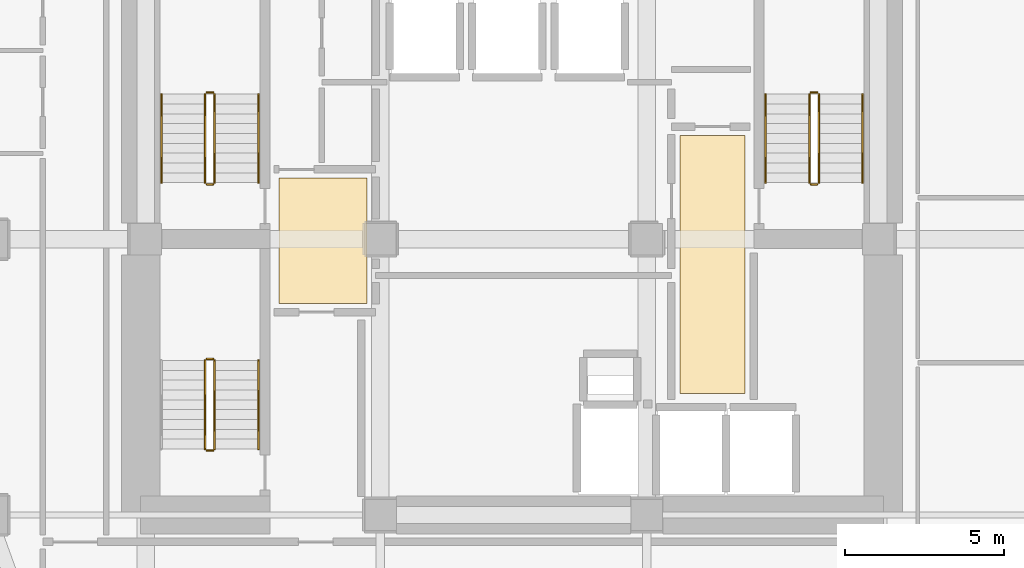
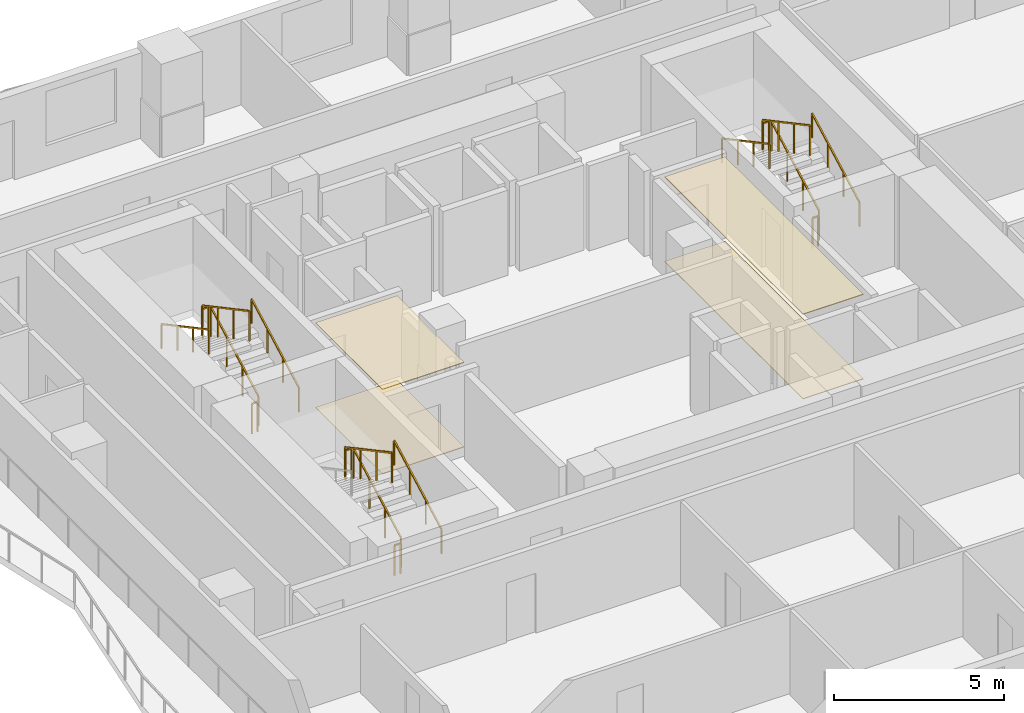
# One storey, part 8 of 9: 17 railings, 4 coverings.
"""IFC4 building model written with IfcOpenShell, lengths in metres."""

from ifc_helpers import new_model, si_unit, direction, frame, origin, origin_2d, place, context, subcontext, project, spatial, polyline, rectangle, outline, extrude, material, layer, layer_set, type_object, element, save


model = new_model("IFC4")

# Units and contexts
model_context = context("Model", 3, precision=1e-05, world=origin(), true_north=direction((0.0, 1.0)))
body_context = subcontext(model_context, "Body", "Model", "MODEL_VIEW")
ifc_project = project(units=[si_unit("LENGTHUNIT", "METRE"), si_unit("AREAUNIT", "SQUARE_METRE"), si_unit("VOLUMEUNIT", "CUBIC_METRE"), si_unit("PLANEANGLEUNIT", "RADIAN"), si_unit("MASSUNIT", "GRAM", prefix="KILO")], contexts=[model_context])

# Site, building, storey
site_placement = place(None, origin())
site = spatial("IfcSite", under=ifc_project, at=site_placement, CompositionType="ELEMENT")
building_placement = place(site_placement, origin())
building = spatial("IfcBuilding", under=site, at=building_placement, Name="Solanera Arch Residences", CompositionType="ELEMENT")
storey_placement = place(building_placement, frame((0.0, 0.0, 55.199951171875)))
storey = spatial("IfcBuildingStorey", under=building, at=storey_placement, Name="L15", CompositionType="ELEMENT", Elevation=55.199951171875)

# Coverings
ifc_material_1 = material(Name="Porcelain Acoustic Floor Tile", Category="ceramic")
ifc_layer_1 = layer(ifc_material_1, 0.02001953125)
ifc_layer_set_1 = layer_set([ifc_layer_1], Name="Porcelain Acoustic Floor Tile")
covering_type_1 = type_object("IfcCoveringType", Name="Porcelain Acoustic Floor Finish FLR-20", PredefinedType="FLOORING", material=ifc_layer_set_1)
covering_1_placement = place(storey_placement, origin())
element("IfcCovering", 1, at=covering_1_placement, inside=storey, type_object=covering_type_1, Name="L15-FFL-W Porcelain Floor Finish", PredefinedType="FLOORING", context=body_context, shape_type="SweptSolid", body=[
    extrude(outline(polyline([(20.375, 28.675048828125), (17.594970703125, 28.675048828125), (17.594970703125, 32.625), (20.375, 32.625), (20.375, 28.675048828125)])), origin(), (0.0, 0.0, 1.0), 0.02001953125),
])
covering_2_placement = place(storey_placement, origin())
element("IfcCovering", 2, at=covering_2_placement, inside=storey, type_object=covering_type_1, Name="L15-FFL-E Porcelain Floor Finish", PredefinedType="FLOORING", context=body_context, shape_type="SweptSolid", body=[
    extrude(outline(polyline([(32.304931640625, 25.824951171875), (30.25, 25.824951171875), (30.25, 33.97509765625), (32.304931640625, 33.97509765625), (32.304931640625, 25.824951171875)])), origin(), (0.0, 0.0, 1.0), 0.02001953125),
])

# Railings
ifc_material_2 = material(Name="Steel S355 (ASTM A992 / A572 Grade 50)", Category="steel")
railing_type_1 = type_object("IfcRailingType", Name="Stair Guardrail GR-1100", PredefinedType="GUARDRAIL", material=ifc_material_2)
railing_1_placement = place(storey_placement, frame((15.570068359375, 32.47998046875, 0.151123046875)))
element("IfcRailing", 3, at=railing_1_placement, inside=storey, type_object=railing_type_1, Name="L15 ST-T1 stair guard 1", PredefinedType="GUARDRAIL", context=body_context, shape_type="SweptSolid", body=[
    extrude(rectangle(XDim=0.048095703125, YDim=0.048095703125, at=origin_2d()), frame((0.0, 0.0, 1.076171875), z_axis=(0.0, 0.881580869306, 0.472033018838), x_axis=(-1.0, 0.0, 0.0)), (0.0, 0.0, 1.0), 3.164794921875),
    extrude(rectangle(XDim=0.0419921875, YDim=0.0419921875, at=origin_2d()), origin(), (0.0, 0.0, 1.0), 1.052001953125),
    extrude(rectangle(XDim=0.0419921875, YDim=0.0419921875, at=origin_2d()), frame((0.0, 0.929931640625, 0.498046875)), (0.0, 0.0, 1.0), 1.052001953125),
    extrude(rectangle(XDim=0.0419921875, YDim=0.0419921875, at=origin_2d()), frame((0.0, 1.860107421875, 0.995849609375)), (0.0, 0.0, 1.0), 1.052001953125),
    extrude(rectangle(XDim=0.0419921875, YDim=0.0419921875, at=origin_2d()), frame((0.0, 2.7900390625, 1.493896484375)), (0.0, 0.0, 1.0), 1.052001953125),
])
railing_2_placement = place(storey_placement, frame((15.52001953125, 35.320068359375, 1.64501953125)))
element("IfcRailing", 4, at=railing_2_placement, inside=storey, type_object=railing_type_1, Name="L15 ST-T1 stair guard 2", PredefinedType="GUARDRAIL", context=body_context, shape_type="SweptSolid", body=[
    extrude(rectangle(XDim=0.048095703125, YDim=0.048095703125, at=origin_2d()), frame((0.0, 0.0, 1.076171875), z_axis=(-1.0, 0.0, 0.0), x_axis=(0.0, -1.0, 0.0)), (0.0, 0.0, 1.0), 0.199951171875),
    extrude(rectangle(XDim=0.0419921875, YDim=0.0419921875, at=origin_2d()), origin(), (0.0, 0.0, 1.0), 1.052001953125),
    extrude(rectangle(XDim=0.0419921875, YDim=0.0419921875, at=origin_2d()), frame((-0.199951171875, 0.0, 0.0)), (0.0, 0.0, 1.0), 1.052001953125),
])
railing_3_placement = place(storey_placement, frame((15.27001953125, 35.27001953125, 1.81103515625)))
element("IfcRailing", 5, at=railing_3_placement, inside=storey, type_object=railing_type_1, Name="L15 ST-T1 stair guard 3", PredefinedType="GUARDRAIL", context=body_context, shape_type="SweptSolid", body=[
    extrude(rectangle(XDim=0.048095703125, YDim=0.048095703125, at=origin_2d()), frame((0.0, 0.0, 1.076171875), z_axis=(0.0, -0.881580869306, 0.472033018838), x_axis=(1.0, 0.0, 0.0)), (0.0, 0.0, 1.0), 3.164794921875),
    extrude(rectangle(XDim=0.0419921875, YDim=0.0419921875, at=origin_2d()), origin(), (0.0, 0.0, 1.0), 1.052001953125),
    extrude(rectangle(XDim=0.0419921875, YDim=0.0419921875, at=origin_2d()), frame((0.0, -0.929931640625, 0.498046875)), (0.0, 0.0, 1.0), 1.052001953125),
    extrude(rectangle(XDim=0.0419921875, YDim=0.0419921875, at=origin_2d()), frame((0.0, -1.860107421875, 0.995849609375)), (0.0, 0.0, 1.0), 1.052001953125),
    extrude(rectangle(XDim=0.0419921875, YDim=0.0419921875, at=origin_2d()), frame((0.0, -2.7900390625, 1.493896484375)), (0.0, 0.0, 1.0), 1.052001953125),
])
railing_4_placement = place(storey_placement, frame((15.52001953125, 32.429931640625, -0.014892578125)))
element("IfcRailing", 6, at=railing_4_placement, inside=storey, type_object=railing_type_1, Name="L15 ST-T1 stair guard 4", PredefinedType="GUARDRAIL", context=body_context, shape_type="SweptSolid", body=[
    extrude(rectangle(XDim=0.048095703125, YDim=0.048095703125, at=origin_2d()), frame((0.0, 0.0, 1.076171875), z_axis=(-1.0, 0.0, 0.0), x_axis=(0.0, -1.0, 0.0)), (0.0, 0.0, 1.0), 0.199951171875),
    extrude(rectangle(XDim=0.0419921875, YDim=0.0419921875, at=origin_2d()), origin(), (0.0, 0.0, 1.0), 1.052001953125),
    extrude(rectangle(XDim=0.0419921875, YDim=0.0419921875, at=origin_2d()), frame((-0.199951171875, 0.0, 0.0)), (0.0, 0.0, 1.0), 1.052001953125),
])
railing_5_placement = place(storey_placement, frame((34.6298828125, 32.47998046875, 0.151123046875)))
element("IfcRailing", 7, at=railing_5_placement, inside=storey, type_object=railing_type_1, Name="L15 ST-T2 stair guard 1", PredefinedType="GUARDRAIL", context=body_context, shape_type="SweptSolid", body=[
    extrude(rectangle(XDim=0.048095703125, YDim=0.048095703125, at=origin_2d()), frame((0.0, 0.0, 1.076171875), z_axis=(0.0, 0.881580869306, 0.472033018838), x_axis=(-1.0, 0.0, 0.0)), (0.0, 0.0, 1.0), 3.164794921875),
    extrude(rectangle(XDim=0.0419921875, YDim=0.0419921875, at=origin_2d()), origin(), (0.0, 0.0, 1.0), 1.052001953125),
    extrude(rectangle(XDim=0.0419921875, YDim=0.0419921875, at=origin_2d()), frame((0.0, 0.929931640625, 0.498046875)), (0.0, 0.0, 1.0), 1.052001953125),
    extrude(rectangle(XDim=0.0419921875, YDim=0.0419921875, at=origin_2d()), frame((0.0, 1.860107421875, 0.995849609375)), (0.0, 0.0, 1.0), 1.052001953125),
    extrude(rectangle(XDim=0.0419921875, YDim=0.0419921875, at=origin_2d()), frame((0.0, 2.7900390625, 1.493896484375)), (0.0, 0.0, 1.0), 1.052001953125),
])
railing_6_placement = place(storey_placement, frame((34.580078125, 35.320068359375, 1.64501953125)))
element("IfcRailing", 8, at=railing_6_placement, inside=storey, type_object=railing_type_1, Name="L15 ST-T2 stair guard 2", PredefinedType="GUARDRAIL", context=body_context, shape_type="SweptSolid", body=[
    extrude(rectangle(XDim=0.048095703125, YDim=0.048095703125, at=origin_2d()), frame((0.0, 0.0, 1.076171875), z_axis=(-1.0, 0.0, 0.0), x_axis=(0.0, -1.0, 0.0)), (0.0, 0.0, 1.0), 0.2001953125),
    extrude(rectangle(XDim=0.0419921875, YDim=0.0419921875, at=origin_2d()), origin(), (0.0, 0.0, 1.0), 1.052001953125),
    extrude(rectangle(XDim=0.0419921875, YDim=0.0419921875, at=origin_2d()), frame((-0.2001953125, 0.0, 0.0)), (0.0, 0.0, 1.0), 1.052001953125),
])
railing_7_placement = place(storey_placement, frame((34.330078125, 35.27001953125, 1.81103515625)))
element("IfcRailing", 9, at=railing_7_placement, inside=storey, type_object=railing_type_1, Name="L15 ST-T2 stair guard 3", PredefinedType="GUARDRAIL", context=body_context, shape_type="SweptSolid", body=[
    extrude(rectangle(XDim=0.048095703125, YDim=0.048095703125, at=origin_2d()), frame((0.0, 0.0, 1.076171875), z_axis=(0.0, -0.881580869306, 0.472033018838), x_axis=(1.0, 0.0, 0.0)), (0.0, 0.0, 1.0), 3.164794921875),
    extrude(rectangle(XDim=0.0419921875, YDim=0.0419921875, at=origin_2d()), origin(), (0.0, 0.0, 1.0), 1.052001953125),
    extrude(rectangle(XDim=0.0419921875, YDim=0.0419921875, at=origin_2d()), frame((0.0, -0.929931640625, 0.498046875)), (0.0, 0.0, 1.0), 1.052001953125),
    extrude(rectangle(XDim=0.0419921875, YDim=0.0419921875, at=origin_2d()), frame((0.0, -1.860107421875, 0.995849609375)), (0.0, 0.0, 1.0), 1.052001953125),
    extrude(rectangle(XDim=0.0419921875, YDim=0.0419921875, at=origin_2d()), frame((0.0, -2.7900390625, 1.493896484375)), (0.0, 0.0, 1.0), 1.052001953125),
])
railing_8_placement = place(storey_placement, frame((34.580078125, 32.429931640625, -0.014892578125)))
element("IfcRailing", 10, at=railing_8_placement, inside=storey, type_object=railing_type_1, Name="L15 ST-T2 stair guard 4", PredefinedType="GUARDRAIL", context=body_context, shape_type="SweptSolid", body=[
    extrude(rectangle(XDim=0.048095703125, YDim=0.048095703125, at=origin_2d()), frame((0.0, 0.0, 1.076171875), z_axis=(-1.0, 0.0, 0.0), x_axis=(0.0, -1.0, 0.0)), (0.0, 0.0, 1.0), 0.2001953125),
    extrude(rectangle(XDim=0.0419921875, YDim=0.0419921875, at=origin_2d()), origin(), (0.0, 0.0, 1.0), 1.052001953125),
    extrude(rectangle(XDim=0.0419921875, YDim=0.0419921875, at=origin_2d()), frame((-0.2001953125, 0.0, 0.0)), (0.0, 0.0, 1.0), 1.052001953125),
])
railing_9_placement = place(storey_placement, frame((15.570068359375, 24.080078125, 0.151123046875)))
element("IfcRailing", 11, at=railing_9_placement, inside=storey, type_object=railing_type_1, Name="L15 ST-T3 stair guard 1", PredefinedType="GUARDRAIL", context=body_context, shape_type="SweptSolid", body=[
    extrude(rectangle(XDim=0.048095703125, YDim=0.048095703125, at=origin_2d()), frame((0.0, 0.0, 1.076171875), z_axis=(0.0, 0.881580869306, 0.472033018838), x_axis=(-1.0, 0.0, 0.0)), (0.0, 0.0, 1.0), 3.164794921875),
    extrude(rectangle(XDim=0.0419921875, YDim=0.0419921875, at=origin_2d()), origin(), (0.0, 0.0, 1.0), 1.052001953125),
    extrude(rectangle(XDim=0.0419921875, YDim=0.0419921875, at=origin_2d()), frame((0.0, 0.929931640625, 0.498046875)), (0.0, 0.0, 1.0), 1.052001953125),
    extrude(rectangle(XDim=0.0419921875, YDim=0.0419921875, at=origin_2d()), frame((0.0, 1.860107421875, 0.995849609375)), (0.0, 0.0, 1.0), 1.052001953125),
    extrude(rectangle(XDim=0.0419921875, YDim=0.0419921875, at=origin_2d()), frame((0.0, 2.7900390625, 1.493896484375)), (0.0, 0.0, 1.0), 1.052001953125),
])
railing_10_placement = place(storey_placement, frame((15.52001953125, 26.919921875, 1.64501953125)))
element("IfcRailing", 12, at=railing_10_placement, inside=storey, type_object=railing_type_1, Name="L15 ST-T3 stair guard 2", PredefinedType="GUARDRAIL", context=body_context, shape_type="SweptSolid", body=[
    extrude(rectangle(XDim=0.048095703125, YDim=0.048095703125, at=origin_2d()), frame((0.0, 0.0, 1.076171875), z_axis=(-1.0, 0.0, 0.0), x_axis=(0.0, -1.0, 0.0)), (0.0, 0.0, 1.0), 0.199951171875),
    extrude(rectangle(XDim=0.0419921875, YDim=0.0419921875, at=origin_2d()), origin(), (0.0, 0.0, 1.0), 1.052001953125),
    extrude(rectangle(XDim=0.0419921875, YDim=0.0419921875, at=origin_2d()), frame((-0.199951171875, 0.0, 0.0)), (0.0, 0.0, 1.0), 1.052001953125),
])
railing_11_placement = place(storey_placement, frame((15.27001953125, 26.8701171875, 1.81103515625)))
element("IfcRailing", 13, at=railing_11_placement, inside=storey, type_object=railing_type_1, Name="L15 ST-T3 stair guard 3", PredefinedType="GUARDRAIL", context=body_context, shape_type="SweptSolid", body=[
    extrude(rectangle(XDim=0.048095703125, YDim=0.048095703125, at=origin_2d()), frame((0.0, 0.0, 1.076171875), z_axis=(0.0, -0.881580869306, 0.472033018838), x_axis=(1.0, 0.0, 0.0)), (0.0, 0.0, 1.0), 3.164794921875),
    extrude(rectangle(XDim=0.0419921875, YDim=0.0419921875, at=origin_2d()), origin(), (0.0, 0.0, 1.0), 1.052001953125),
    extrude(rectangle(XDim=0.0419921875, YDim=0.0419921875, at=origin_2d()), frame((0.0, -0.929931640625, 0.498046875)), (0.0, 0.0, 1.0), 1.052001953125),
    extrude(rectangle(XDim=0.0419921875, YDim=0.0419921875, at=origin_2d()), frame((0.0, -1.860107421875, 0.995849609375)), (0.0, 0.0, 1.0), 1.052001953125),
    extrude(rectangle(XDim=0.0419921875, YDim=0.0419921875, at=origin_2d()), frame((0.0, -2.7900390625, 1.493896484375)), (0.0, 0.0, 1.0), 1.052001953125),
])
railing_12_placement = place(storey_placement, frame((15.52001953125, 24.030029296875, -0.014892578125)))
element("IfcRailing", 14, at=railing_12_placement, inside=storey, type_object=railing_type_1, Name="L15 ST-T3 stair guard 4", PredefinedType="GUARDRAIL", context=body_context, shape_type="SweptSolid", body=[
    extrude(rectangle(XDim=0.048095703125, YDim=0.048095703125, at=origin_2d()), frame((0.0, 0.0, 1.076171875), z_axis=(-1.0, 0.0, 0.0), x_axis=(0.0, -1.0, 0.0)), (0.0, 0.0, 1.0), 0.199951171875),
    extrude(rectangle(XDim=0.0419921875, YDim=0.0419921875, at=origin_2d()), origin(), (0.0, 0.0, 1.0), 1.052001953125),
    extrude(rectangle(XDim=0.0419921875, YDim=0.0419921875, at=origin_2d()), frame((-0.199951171875, 0.0, 0.0)), (0.0, 0.0, 1.0), 1.052001953125),
])
ifc_material_3 = material(Name="Steel S355 (ASTM A992 / A572 Grade 50)", Category="steel")
railing_type_2 = type_object("IfcRailingType", Name="Stair Wall Handrail HR-920", PredefinedType="HANDRAIL", material=ifc_material_3)
railing_13_placement = place(storey_placement, frame((16.949951171875, 32.47998046875, 0.166015625)))
element("IfcRailing", 15, at=railing_13_placement, inside=storey, type_object=railing_type_2, Name="L15 ST-T1 stair handrail 1", PredefinedType="HANDRAIL", context=body_context, shape_type="SweptSolid", body=[
    extrude(rectangle(XDim=0.048095703125, YDim=0.048095703125, at=origin_2d()), frame((0.0, 0.0, 0.8759765625), z_axis=(0.0, 0.881548766853, 0.472092969298), x_axis=(-1.0, 0.0, 0.0)), (0.0, 0.0, 1.0), 3.1650390625),
    extrude(rectangle(XDim=0.0419921875, YDim=0.0419921875, at=origin_2d()), origin(), (0.0, 0.0, 1.0), 0.851806640625),
    extrude(rectangle(XDim=0.0419921875, YDim=0.0419921875, at=origin_2d()), frame((0.0, 0.929931640625, 0.498046875)), (0.0, 0.0, 1.0), 0.851806640625),
    extrude(rectangle(XDim=0.0419921875, YDim=0.0419921875, at=origin_2d()), frame((0.0, 1.860107421875, 0.99609375)), (0.0, 0.0, 1.0), 0.851806640625),
    extrude(rectangle(XDim=0.0419921875, YDim=0.0419921875, at=origin_2d()), frame((0.0, 2.7900390625, 1.494140625)), (0.0, 0.0, 1.0), 0.851806640625),
])
railing_14_placement = place(storey_placement, frame((13.889892578125, 35.27001953125, 1.825927734375)))
element("IfcRailing", 16, at=railing_14_placement, inside=storey, type_object=railing_type_2, Name="L15 ST-T1 stair handrail 2", PredefinedType="HANDRAIL", context=body_context, shape_type="SweptSolid", body=[
    extrude(rectangle(XDim=0.048095703125, YDim=0.048095703125, at=origin_2d()), frame((0.0, 0.0, 0.8759765625), z_axis=(0.0, -0.881548766853, 0.472092969298), x_axis=(1.0, 0.0, 0.0)), (0.0, 0.0, 1.0), 3.1650390625),
    extrude(rectangle(XDim=0.0419921875, YDim=0.0419921875, at=origin_2d()), origin(), (0.0, 0.0, 1.0), 0.851806640625),
    extrude(rectangle(XDim=0.0419921875, YDim=0.0419921875, at=origin_2d()), frame((0.0, -0.929931640625, 0.498046875)), (0.0, 0.0, 1.0), 0.851806640625),
    extrude(rectangle(XDim=0.0419921875, YDim=0.0419921875, at=origin_2d()), frame((0.0, -1.860107421875, 0.99609375)), (0.0, 0.0, 1.0), 0.851806640625),
    extrude(rectangle(XDim=0.0419921875, YDim=0.0419921875, at=origin_2d()), frame((0.0, -2.7900390625, 1.494140625)), (0.0, 0.0, 1.0), 0.851806640625),
])
railing_15_placement = place(storey_placement, frame((36.010009765625, 32.47998046875, 0.166015625)))
element("IfcRailing", 17, at=railing_15_placement, inside=storey, type_object=railing_type_2, Name="L15 ST-T2 stair handrail 1", PredefinedType="HANDRAIL", context=body_context, shape_type="SweptSolid", body=[
    extrude(rectangle(XDim=0.048095703125, YDim=0.048095703125, at=origin_2d()), frame((0.0, 0.0, 0.8759765625), z_axis=(0.0, 0.881548766853, 0.472092969298), x_axis=(-1.0, 0.0, 0.0)), (0.0, 0.0, 1.0), 3.1650390625),
    extrude(rectangle(XDim=0.0419921875, YDim=0.0419921875, at=origin_2d()), origin(), (0.0, 0.0, 1.0), 0.851806640625),
    extrude(rectangle(XDim=0.0419921875, YDim=0.0419921875, at=origin_2d()), frame((0.0, 0.929931640625, 0.498046875)), (0.0, 0.0, 1.0), 0.851806640625),
    extrude(rectangle(XDim=0.0419921875, YDim=0.0419921875, at=origin_2d()), frame((0.0, 1.860107421875, 0.99609375)), (0.0, 0.0, 1.0), 0.851806640625),
    extrude(rectangle(XDim=0.0419921875, YDim=0.0419921875, at=origin_2d()), frame((0.0, 2.7900390625, 1.494140625)), (0.0, 0.0, 1.0), 0.851806640625),
])
railing_16_placement = place(storey_placement, frame((32.949951171875, 35.27001953125, 1.825927734375)))
element("IfcRailing", 18, at=railing_16_placement, inside=storey, type_object=railing_type_2, Name="L15 ST-T2 stair handrail 2", PredefinedType="HANDRAIL", context=body_context, shape_type="SweptSolid", body=[
    extrude(rectangle(XDim=0.048095703125, YDim=0.048095703125, at=origin_2d()), frame((0.0, 0.0, 0.8759765625), z_axis=(0.0, -0.881548766853, 0.472092969298), x_axis=(1.0, 0.0, 0.0)), (0.0, 0.0, 1.0), 3.1650390625),
    extrude(rectangle(XDim=0.0419921875, YDim=0.0419921875, at=origin_2d()), origin(), (0.0, 0.0, 1.0), 0.851806640625),
    extrude(rectangle(XDim=0.0419921875, YDim=0.0419921875, at=origin_2d()), frame((0.0, -0.929931640625, 0.498046875)), (0.0, 0.0, 1.0), 0.851806640625),
    extrude(rectangle(XDim=0.0419921875, YDim=0.0419921875, at=origin_2d()), frame((0.0, -1.860107421875, 0.99609375)), (0.0, 0.0, 1.0), 0.851806640625),
    extrude(rectangle(XDim=0.0419921875, YDim=0.0419921875, at=origin_2d()), frame((0.0, -2.7900390625, 1.494140625)), (0.0, 0.0, 1.0), 0.851806640625),
])
railing_17_placement = place(storey_placement, frame((16.949951171875, 24.080078125, 0.166015625)))
element("IfcRailing", 19, at=railing_17_placement, inside=storey, type_object=railing_type_2, Name="L15 ST-T3 stair handrail 1", PredefinedType="HANDRAIL", context=body_context, shape_type="SweptSolid", body=[
    extrude(rectangle(XDim=0.048095703125, YDim=0.048095703125, at=origin_2d()), frame((0.0, 0.0, 0.8759765625), z_axis=(0.0, 0.881548766853, 0.472092969298), x_axis=(-1.0, 0.0, 0.0)), (0.0, 0.0, 1.0), 3.1650390625),
    extrude(rectangle(XDim=0.0419921875, YDim=0.0419921875, at=origin_2d()), origin(), (0.0, 0.0, 1.0), 0.851806640625),
    extrude(rectangle(XDim=0.0419921875, YDim=0.0419921875, at=origin_2d()), frame((0.0, 0.929931640625, 0.498046875)), (0.0, 0.0, 1.0), 0.851806640625),
    extrude(rectangle(XDim=0.0419921875, YDim=0.0419921875, at=origin_2d()), frame((0.0, 1.860107421875, 0.99609375)), (0.0, 0.0, 1.0), 0.851806640625),
    extrude(rectangle(XDim=0.0419921875, YDim=0.0419921875, at=origin_2d()), frame((0.0, 2.7900390625, 1.494140625)), (0.0, 0.0, 1.0), 0.851806640625),
])

# Coverings
ifc_material_4 = material(Name="Mineral Fibre Acoustic Ceiling Board", Category="gypsum")
ifc_layer_2 = layer(ifc_material_4, 0.02490234375)
ifc_layer_set_2 = layer_set([ifc_layer_2], Name="Mineral Fibre Acoustic Ceiling Board")
covering_type_2 = type_object("IfcCoveringType", Name="Suspended Acoustic Ceiling Board CLG-25", PredefinedType="CEILING", material=ifc_layer_set_2)
covering_3_placement = place(storey_placement, frame((0.0, 0.0, 3.03515625)))
element("IfcCovering", 20, at=covering_3_placement, inside=storey, type_object=covering_type_2, Name="L15-FFL-W Acoustic Ceiling", PredefinedType="CEILING", context=body_context, shape_type="SweptSolid", body=[
    extrude(outline(polyline([(20.375, 28.675048828125), (17.594970703125, 28.675048828125), (17.594970703125, 32.625), (20.375, 32.625), (20.375, 28.675048828125)])), origin(), (0.0, 0.0, 1.0), 0.02490234375),
])
covering_4_placement = place(storey_placement, frame((0.0, 0.0, 3.03515625)))
element("IfcCovering", 21, at=covering_4_placement, inside=storey, type_object=covering_type_2, Name="L15-FFL-E Acoustic Ceiling", PredefinedType="CEILING", context=body_context, shape_type="SweptSolid", body=[
    extrude(outline(polyline([(32.304931640625, 25.824951171875), (30.25, 25.824951171875), (30.25, 33.97509765625), (32.304931640625, 33.97509765625), (32.304931640625, 25.824951171875)])), origin(), (0.0, 0.0, 1.0), 0.02490234375),
])

save(model, "model.ifc")
